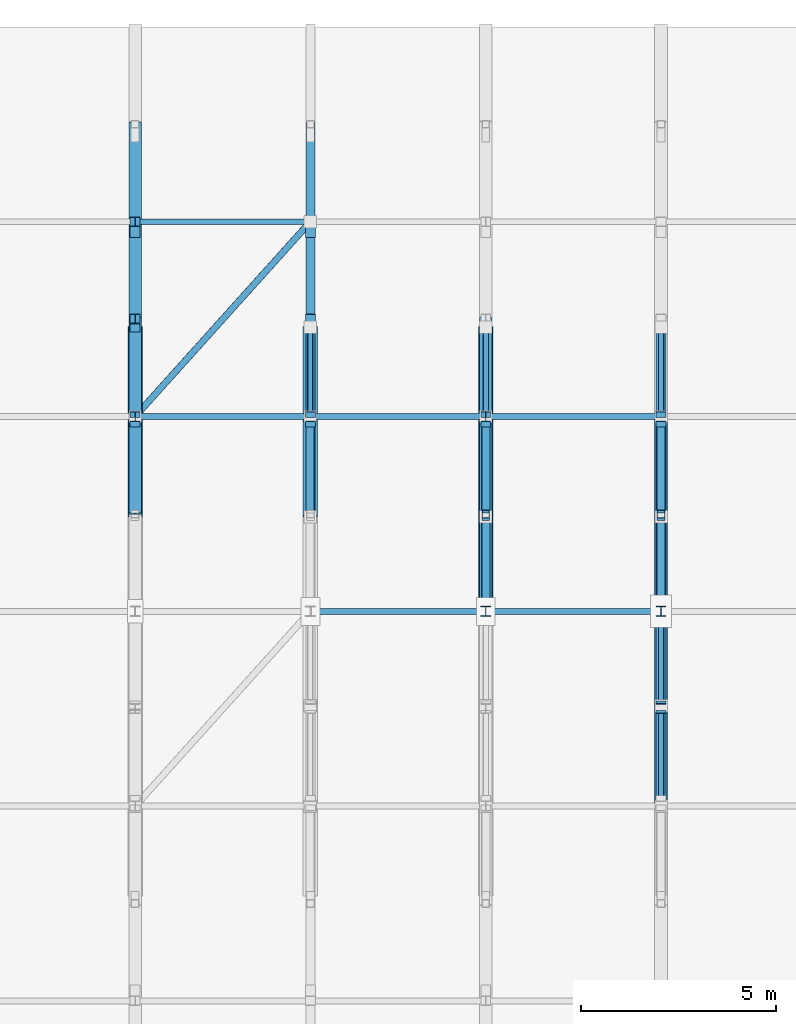
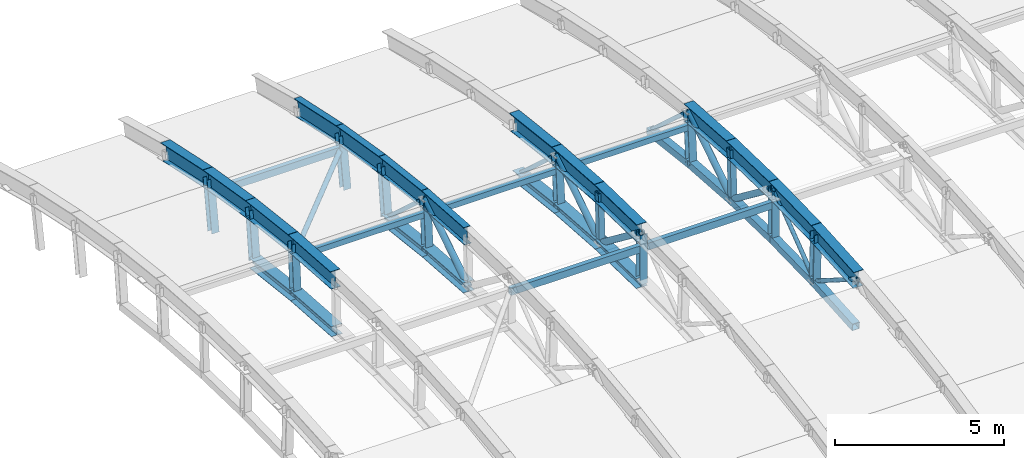
# One storey, part 10 of 53: 42 members, 15 beams.
"""IFC4 building model written with IfcOpenShell, lengths in metres."""

from ifc_helpers import new_model, si_unit, direction, frame, origin, origin_2d, place, context, subcontext, project, spatial, hollow_rectangle, hollow_circle, i_section, extrude, material, material_profile, profile_set, type_object, element, save


model = new_model("IFC4")

# Units and contexts
model_context = context("Model", 3, precision=1e-05, world=origin(), true_north=direction((0.0, 1.0)))
body_context = subcontext(model_context, "Body", "Model", "MODEL_VIEW")
ifc_project = project(units=[si_unit("LENGTHUNIT", "METRE"), si_unit("AREAUNIT", "SQUARE_METRE"), si_unit("VOLUMEUNIT", "CUBIC_METRE"), si_unit("PLANEANGLEUNIT", "RADIAN"), si_unit("MASSUNIT", "GRAM", prefix="KILO")], contexts=[model_context])

# Site, building, storey
site_placement = place(None, origin())
site = spatial("IfcSite", under=ifc_project, at=site_placement, CompositionType="ELEMENT")
building_placement = place(site_placement, origin())
building = spatial("IfcBuilding", under=site, at=building_placement, Name="Cazmaro Siding Exhibition Halls", CompositionType="ELEMENT")
storey_placement = place(building_placement, frame((0.0, 0.0, 21.0)))
storey = spatial("IfcBuildingStorey", under=building, at=storey_placement, Name="L04", CompositionType="ELEMENT", Elevation=21.0)

# Beams
ifc_material_1 = material(Name="Steel ASTM A992 Grade 50", Category="steel")
ifc_material_profile_1 = material_profile(ifc_material_1, i_section(OverallWidth=0.327880859375, OverallDepth=0.626953125, WebThickness=0.01708984375, FlangeThickness=0.028076171875, at=origin_2d()), Name="W24X146")
ifc_profile_set_1 = profile_set([ifc_material_profile_1], Name="Steel ASTM A992 Grade 50")
beam_type_1 = type_object("IfcBeamType", Name="AR-01", PredefinedType="USERDEFINED", material=ifc_profile_set_1)
beam_1_placement = place(storey_placement, frame((58.5, 94.0, 2.5), z_axis=(0.0, 0.999730009742, -0.023235912336), x_axis=(-1.0, 0.0, 0.0)))
element("IfcBeam", 1, at=beam_1_placement, inside=storey, type_object=beam_type_1, Name="Space frame barrel vault arched rib AR-01 BM-0619", ObjectType="ARCHED RIB", PredefinedType="USERDEFINED", context=body_context, shape_type="SweptSolid", body=[
    extrude(i_section(OverallWidth=0.327880859375, OverallDepth=0.626953125, WebThickness=0.01708984375, FlangeThickness=0.028076171875, at=origin_2d()), origin(), (0.0, 0.0, 1.0), 2.500732421875),
])
beam_2_placement = place(storey_placement, frame((58.5, 96.5, 2.44189453125), z_axis=(0.0, 0.997537204184, -0.070139334669), x_axis=(-1.0, 0.0, 0.0)))
element("IfcBeam", 2, at=beam_2_placement, inside=storey, type_object=beam_type_1, Name="Space frame barrel vault arched rib AR-01 BM-0620", ObjectType="ARCHED RIB", PredefinedType="USERDEFINED", context=body_context, shape_type="SweptSolid", body=[
    extrude(i_section(OverallWidth=0.327880859375, OverallDepth=0.626953125, WebThickness=0.01708984375, FlangeThickness=0.028076171875, at=origin_2d()), origin(), (0.0, 0.0, 1.0), 2.506103515625),
])
beam_3_placement = place(storey_placement, frame((58.5, 99.0, 2.26611328125), z_axis=(0.0, 0.993147293786, -0.116869383693), x_axis=(-1.0, 0.0, 0.0)))
element("IfcBeam", 3, at=beam_3_placement, inside=storey, type_object=beam_type_1, Name="Space frame barrel vault arched rib AR-01 BM-0621", ObjectType="ARCHED RIB", PredefinedType="USERDEFINED", context=body_context, shape_type="SweptSolid", body=[
    extrude(i_section(OverallWidth=0.327880859375, OverallDepth=0.626953125, WebThickness=0.01708984375, FlangeThickness=0.028076171875, at=origin_2d()), origin(), (0.0, 0.0, 1.0), 2.517333984375),
])
ifc_material_2 = material(Name="Steel ASTM A992 Grade 50", Category="steel")
ifc_material_profile_2 = material_profile(ifc_material_2, i_section(OverallWidth=0.324951171875, OverallDepth=0.612060546875, WebThickness=0.012939453125, FlangeThickness=0.01904296875, at=origin_2d()), Name="W24X104")
ifc_profile_set_2 = profile_set([ifc_material_profile_2], Name="Steel ASTM A992 Grade 50")
beam_type_2 = type_object("IfcBeamType", Name="AR-02", PredefinedType="USERDEFINED", material=ifc_profile_set_2)
beam_4_placement = place(storey_placement, frame((49.5, 96.5, 2.44189453125), z_axis=(0.0, 0.997537204184, -0.070139334669), x_axis=(-1.0, 0.0, 0.0)))
element("IfcBeam", 4, at=beam_4_placement, inside=storey, type_object=beam_type_2, Name="Space frame barrel vault arched rib AR-02 BM-0572", ObjectType="ARCHED RIB", PredefinedType="USERDEFINED", context=body_context, shape_type="SweptSolid", body=[
    extrude(i_section(OverallWidth=0.324951171875, OverallDepth=0.612060546875, WebThickness=0.012939453125, FlangeThickness=0.01904296875, at=origin_2d()), origin(), (0.0, 0.0, 1.0), 2.506103515625),
])
beam_5_placement = place(storey_placement, frame((49.5, 99.0, 2.26611328125), z_axis=(0.0, 0.993147293786, -0.116869383693), x_axis=(-1.0, 0.0, 0.0)))
element("IfcBeam", 5, at=beam_5_placement, inside=storey, type_object=beam_type_2, Name="Space frame barrel vault arched rib AR-02 BM-0573", ObjectType="ARCHED RIB", PredefinedType="USERDEFINED", context=body_context, shape_type="SweptSolid", body=[
    extrude(i_section(OverallWidth=0.324951171875, OverallDepth=0.612060546875, WebThickness=0.012939453125, FlangeThickness=0.01904296875, at=origin_2d()), origin(), (0.0, 0.0, 1.0), 2.517333984375),
])
beam_6_placement = place(storey_placement, frame((49.5, 101.5, 1.971923828125), z_axis=(0.0, 0.98649787474, -0.163774061236), x_axis=(-1.0, 0.0, 0.0)))
element("IfcBeam", 6, at=beam_6_placement, inside=storey, type_object=beam_type_2, Name="Space frame barrel vault arched rib AR-02 BM-0574", ObjectType="ARCHED RIB", PredefinedType="USERDEFINED", context=body_context, shape_type="SweptSolid", body=[
    extrude(i_section(OverallWidth=0.324951171875, OverallDepth=0.612060546875, WebThickness=0.012939453125, FlangeThickness=0.01904296875, at=origin_2d()), origin(), (0.0, 0.0, 1.0), 2.5341796875),
])
beam_7_placement = place(storey_placement, frame((49.5, 104.0, 1.556884765625), z_axis=(0.0, 0.977710100146, -0.209959424826), x_axis=(-1.0, 0.0, 0.0)))
element("IfcBeam", 7, at=beam_7_placement, inside=storey, type_object=beam_type_2, Name="Space frame barrel vault arched rib AR-02 BM-0575", ObjectType="ARCHED RIB", PredefinedType="USERDEFINED", context=body_context, shape_type="SweptSolid", body=[
    extrude(i_section(OverallWidth=0.324951171875, OverallDepth=0.612060546875, WebThickness=0.012939453125, FlangeThickness=0.01904296875, at=origin_2d()), origin(), (0.0, 0.0, 1.0), 2.556884765625),
])
beam_8_placement = place(storey_placement, frame((63.0, 89.0, 2.26611328125), z_axis=(0.0, 0.997537204184, 0.070139334669), x_axis=(-1.0, 0.0, 0.0)))
element("IfcBeam", 8, at=beam_8_placement, inside=storey, type_object=beam_type_2, Name="Space frame barrel vault arched rib AR-02 BM-0641", ObjectType="ARCHED RIB", PredefinedType="USERDEFINED", context=body_context, shape_type="SweptSolid", body=[
    extrude(i_section(OverallWidth=0.324951171875, OverallDepth=0.612060546875, WebThickness=0.012939453125, FlangeThickness=0.01904296875, at=origin_2d()), origin(), (0.0, 0.0, 1.0), 2.506103515625),
])
for number, where, z_axis, x_axis, name in (
    (9, (63.0, 91.5, 2.44189453125), (0.0, 0.999730009742, 0.023235912336), (-1.0, 0.0, 0.0), "Space frame barrel vault arched rib AR-02 BM-0642"),
    (10, (63.0, 94.0, 2.5), (0.0, 0.999730009742, -0.023235912336), (-1.0, 0.0, 0.0), "Space frame barrel vault arched rib AR-02 BM-0643"),
):
    element("IfcBeam", number, at=place(storey_placement, frame(where, z_axis=z_axis, x_axis=x_axis)), inside=storey, type_object=beam_type_2, Name=name, ObjectType="ARCHED RIB", PredefinedType="USERDEFINED", context=body_context, shape_type="SweptSolid", body=[
        extrude(i_section(OverallWidth=0.324951171875, OverallDepth=0.612060546875, WebThickness=0.012939453125, FlangeThickness=0.01904296875, at=origin_2d()), origin(), (0.0, 0.0, 1.0), 2.500732421875),
    ])
beam_9_placement = place(storey_placement, frame((63.0, 96.5, 2.44189453125), z_axis=(0.0, 0.997537204184, -0.070139334669), x_axis=(-1.0, 0.0, 0.0)))
element("IfcBeam", 11, at=beam_9_placement, inside=storey, type_object=beam_type_2, Name="Space frame barrel vault arched rib AR-02 BM-0644", ObjectType="ARCHED RIB", PredefinedType="USERDEFINED", context=body_context, shape_type="SweptSolid", body=[
    extrude(i_section(OverallWidth=0.324951171875, OverallDepth=0.612060546875, WebThickness=0.012939453125, FlangeThickness=0.01904296875, at=origin_2d()), origin(), (0.0, 0.0, 1.0), 2.506103515625),
])
ifc_material_3 = material(Name="Steel ASTM A992 Grade 50", Category="steel")
ifc_material_profile_3 = material_profile(ifc_material_3, i_section(OverallWidth=0.22900390625, OverallDepth=0.612060546875, WebThickness=0.011962890625, FlangeThickness=0.02001953125, at=origin_2d()), Name="W24X84")
ifc_profile_set_3 = profile_set([ifc_material_profile_3], Name="Steel ASTM A992 Grade 50")
beam_type_3 = type_object("IfcBeamType", Name="AR-03", PredefinedType="USERDEFINED", material=ifc_profile_set_3)
beam_10_placement = place(storey_placement, frame((54.0, 96.5, 2.44189453125), z_axis=(0.0, 0.997537204184, -0.070139334669), x_axis=(-1.0, 0.0, 0.0)))
element("IfcBeam", 12, at=beam_10_placement, inside=storey, type_object=beam_type_3, Name="Space frame barrel vault arched rib AR-03 BM-0596", ObjectType="ARCHED RIB", PredefinedType="USERDEFINED", context=body_context, shape_type="SweptSolid", body=[
    extrude(i_section(OverallWidth=0.22900390625, OverallDepth=0.612060546875, WebThickness=0.011962890625, FlangeThickness=0.02001953125, at=origin_2d()), origin(), (0.0, 0.0, 1.0), 2.506103515625),
])
beam_11_placement = place(storey_placement, frame((54.0, 99.0, 2.26611328125), z_axis=(0.0, 0.993147293786, -0.116869383693), x_axis=(-1.0, 0.0, 0.0)))
element("IfcBeam", 13, at=beam_11_placement, inside=storey, type_object=beam_type_3, Name="Space frame barrel vault arched rib AR-03 BM-0597", ObjectType="ARCHED RIB", PredefinedType="USERDEFINED", context=body_context, shape_type="SweptSolid", body=[
    extrude(i_section(OverallWidth=0.22900390625, OverallDepth=0.612060546875, WebThickness=0.011962890625, FlangeThickness=0.02001953125, at=origin_2d()), origin(), (0.0, 0.0, 1.0), 2.517333984375),
])
beam_12_placement = place(storey_placement, frame((54.0, 101.5, 1.971923828125), z_axis=(0.0, 0.98649787474, -0.163774061236), x_axis=(-1.0, 0.0, 0.0)))
element("IfcBeam", 14, at=beam_12_placement, inside=storey, type_object=beam_type_3, Name="Space frame barrel vault arched rib AR-03 BM-0598", ObjectType="ARCHED RIB", PredefinedType="USERDEFINED", context=body_context, shape_type="SweptSolid", body=[
    extrude(i_section(OverallWidth=0.22900390625, OverallDepth=0.612060546875, WebThickness=0.011962890625, FlangeThickness=0.02001953125, at=origin_2d()), origin(), (0.0, 0.0, 1.0), 2.5341796875),
])
beam_13_placement = place(storey_placement, frame((54.0, 104.0, 1.556884765625), z_axis=(0.0, 0.977710100146, -0.209959424826), x_axis=(-1.0, 0.0, 0.0)))
element("IfcBeam", 15, at=beam_13_placement, inside=storey, type_object=beam_type_3, Name="Space frame barrel vault arched rib AR-03 BM-0599", ObjectType="ARCHED RIB", PredefinedType="USERDEFINED", context=body_context, shape_type="SweptSolid", body=[
    extrude(i_section(OverallWidth=0.22900390625, OverallDepth=0.612060546875, WebThickness=0.011962890625, FlangeThickness=0.02001953125, at=origin_2d()), origin(), (0.0, 0.0, 1.0), 2.556884765625),
])

# Members
ifc_material_4 = material(Name="Steel ASTM A500 Grade C", Category="steel")
ifc_material_profile_4 = material_profile(ifc_material_4, hollow_rectangle(XDim=0.152099609375, YDim=0.202880859375, WallThickness=0.011962890625, at=origin_2d()), Name="HSS8X6X1/2")
ifc_profile_set_4 = profile_set([ifc_material_profile_4], Name="Steel ASTM A500 Grade C")
member_type_1 = type_object("IfcMemberType", Name="RP-01", PredefinedType="PURLIN", material=ifc_profile_set_4)
for number, where, z_axis, x_axis, name in (
    (16, (49.5, 99.0, 1.72607421875), (1.0, 0.0, 0.0), (0.0, 1.0, 0.0), "Space frame barrel vault purlin RP-01 MEM-1981"),
    (17, (54.0, 99.0, 1.72607421875), (1.0, 0.0, 0.0), (0.0, 1.0, 0.0), "Space frame barrel vault purlin RP-01 MEM-1998"),
    (18, (58.5, 99.0, 1.72607421875), (1.0, 0.0, 0.0), (0.0, 1.0, 0.0), "Space frame barrel vault purlin RP-01 MEM-2009"),
):
    element("IfcMember", number, at=place(storey_placement, frame(where, z_axis=z_axis, x_axis=x_axis)), inside=storey, type_object=member_type_1, Name=name, PredefinedType="PURLIN", context=body_context, shape_type="SweptSolid", body=[
        extrude(hollow_rectangle(XDim=0.152099609375, YDim=0.202880859375, WallThickness=0.011962890625, at=origin_2d()), origin(), (0.0, 0.0, 1.0), 4.5),
    ])
ifc_material_5 = material(Name="Steel ASTM A500 Grade C", Category="steel")
ifc_material_profile_5 = material_profile(ifc_material_5, hollow_rectangle(XDim=0.152099609375, YDim=0.25390625, WallThickness=0.011962890625, at=origin_2d()), Name="HSS10X6X1/2")
ifc_profile_set_5 = profile_set([ifc_material_profile_5], Name="Steel ASTM A500 Grade C")
member_type_2 = type_object("IfcMemberType", Name="RP-04", PredefinedType="PURLIN", material=ifc_profile_set_5)
for number, where, z_axis, x_axis, name in (
    (19, (49.5, 104.0, 1.01708984375), (1.0, 0.0, 0.0), (0.0, 1.0, 0.0), "Space frame barrel vault purlin RP-04 MEM-1982"),
    (20, (54.0, 94.0, 1.9599609375), (1.0, 0.0, 0.0), (0.0, 1.0, 0.0), "Space frame barrel vault purlin RP-04 MEM-1997"),
    (21, (58.5, 94.0, 1.9599609375), (1.0, 0.0, 0.0), (0.0, 1.0, 0.0), "Space frame barrel vault purlin RP-04 MEM-2008"),
):
    element("IfcMember", number, at=place(storey_placement, frame(where, z_axis=z_axis, x_axis=x_axis)), inside=storey, type_object=member_type_2, Name=name, PredefinedType="PURLIN", context=body_context, shape_type="SweptSolid", body=[
        extrude(hollow_rectangle(XDim=0.152099609375, YDim=0.25390625, WallThickness=0.011962890625, at=origin_2d()), origin(), (0.0, 0.0, 1.0), 4.5),
    ])
ifc_material_6 = material(Name="Steel ASTM A500 Grade C", Category="steel")
ifc_material_profile_6 = material_profile(ifc_material_6, hollow_rectangle(XDim=0.25390625, YDim=0.25390625, WallThickness=0.014892578125, at=origin_2d()), Name="HSS10X10X5/8")
ifc_profile_set_6 = profile_set([ifc_material_profile_6], Name="Steel ASTM A500 Grade C")
member_type_3 = type_object("IfcMemberType", Name="TC-01", PredefinedType="CHORD", material=ifc_profile_set_6)
member_1_placement = place(storey_placement, frame((63.0, 89.139892578125, 0.472900390625), z_axis=(0.0, 0.997529419526, 0.070249962135), x_axis=(-1.0, 0.0, 0.0)))
element("IfcMember", 22, at=member_1_placement, inside=storey, type_object=member_type_3, Name="Space frame barrel vault bottom chord TC-01 MEM-0257", PredefinedType="CHORD", context=body_context, shape_type="SweptSolid", body=[
    extrude(hollow_rectangle(XDim=0.25390625, YDim=0.25390625, WallThickness=0.014892578125, at=origin_2d()), origin(), (0.0, 0.0, 1.0), 2.436279296875),
])
for number, where, z_axis, x_axis, name in (
    (23, (63.0, 91.570068359375, 0.64404296875), (0.0, 0.99973541783, 0.023002050707), (-1.0, 0.0, 0.0), "Space frame barrel vault bottom chord TC-01 MEM-0259"),
    (24, (63.0, 94.0, 0.699951171875), (0.0, 0.99973541783, -0.023002050707), (-1.0, 0.0, 0.0), "Space frame barrel vault bottom chord TC-01 MEM-0261"),
):
    element("IfcMember", number, at=place(storey_placement, frame(where, z_axis=z_axis, x_axis=x_axis)), inside=storey, type_object=member_type_3, Name=name, PredefinedType="CHORD", context=body_context, shape_type="SweptSolid", body=[
        extrude(hollow_rectangle(XDim=0.25390625, YDim=0.25390625, WallThickness=0.014892578125, at=origin_2d()), origin(), (0.0, 0.0, 1.0), 2.4306640625),
    ])
member_2_placement = place(storey_placement, frame((63.0, 96.429931640625, 0.64404296875), z_axis=(0.0, 0.997529419526, -0.070249962135), x_axis=(-1.0, 0.0, 0.0)))
element("IfcMember", 25, at=member_2_placement, inside=storey, type_object=member_type_3, Name="Space frame barrel vault bottom chord TC-01 MEM-0263", PredefinedType="CHORD", context=body_context, shape_type="SweptSolid", body=[
    extrude(hollow_rectangle(XDim=0.25390625, YDim=0.25390625, WallThickness=0.014892578125, at=origin_2d()), origin(), (0.0, 0.0, 1.0), 2.436279296875),
])
member_3_placement = place(storey_placement, frame((63.0, 98.860107421875, 0.472900390625), z_axis=(0.0, 0.993149923187, -0.116847037079), x_axis=(-1.0, 0.0, 0.0)))
element("IfcMember", 26, at=member_3_placement, inside=storey, type_object=member_type_3, Name="Space frame barrel vault bottom chord TC-01 MEM-0265", PredefinedType="CHORD", context=body_context, shape_type="SweptSolid", body=[
    extrude(hollow_rectangle(XDim=0.25390625, YDim=0.25390625, WallThickness=0.014892578125, at=origin_2d()), origin(), (0.0, 0.0, 1.0), 2.44677734375),
])
ifc_material_7 = material(Name="Steel ASTM A992 Grade 50", Category="steel")
ifc_material_profile_7 = material_profile(ifc_material_7, i_section(OverallWidth=0.37109375, OverallDepth=0.364013671875, WebThickness=0.012939453125, FlangeThickness=0.02197265625, at=origin_2d()), Name="W14X109")
ifc_profile_set_7 = profile_set([ifc_material_profile_7], Name="Steel ASTM A992 Grade 50")
member_type_4 = type_object("IfcMemberType", Name="TC-06", PredefinedType="CHORD", material=ifc_profile_set_7)
member_4_placement = place(storey_placement, frame((49.5, 96.429931640625, 0.64404296875), z_axis=(0.0, 0.997529419526, -0.070249962135), x_axis=(-1.0, 0.0, 0.0)))
element("IfcMember", 27, at=member_4_placement, inside=storey, type_object=member_type_4, Name="Space frame barrel vault bottom chord TC-06 MEM-0061", PredefinedType="CHORD", context=body_context, shape_type="SweptSolid", body=[
    extrude(i_section(OverallWidth=0.37109375, OverallDepth=0.364013671875, WebThickness=0.012939453125, FlangeThickness=0.02197265625, at=origin_2d()), origin(), (0.0, 0.0, 1.0), 2.436279296875),
])
member_5_placement = place(storey_placement, frame((49.5, 98.860107421875, 0.472900390625), z_axis=(0.0, 0.993149923187, -0.116847037079), x_axis=(-1.0, 0.0, 0.0)))
element("IfcMember", 28, at=member_5_placement, inside=storey, type_object=member_type_4, Name="Space frame barrel vault bottom chord TC-06 MEM-0062", PredefinedType="CHORD", context=body_context, shape_type="SweptSolid", body=[
    extrude(i_section(OverallWidth=0.37109375, OverallDepth=0.364013671875, WebThickness=0.012939453125, FlangeThickness=0.02197265625, at=origin_2d()), origin(), (0.0, 0.0, 1.0), 2.44677734375),
])
member_6_placement = place(storey_placement, frame((54.0, 96.429931640625, 0.64404296875), z_axis=(0.0, 0.997529419526, -0.070249962135), x_axis=(-1.0, 0.0, 0.0)))
element("IfcMember", 29, at=member_6_placement, inside=storey, type_object=member_type_4, Name="Space frame barrel vault bottom chord TC-06 MEM-0121", PredefinedType="CHORD", context=body_context, shape_type="SweptSolid", body=[
    extrude(i_section(OverallWidth=0.37109375, OverallDepth=0.364013671875, WebThickness=0.012939453125, FlangeThickness=0.02197265625, at=origin_2d()), origin(), (0.0, 0.0, 1.0), 2.436279296875),
])
member_7_placement = place(storey_placement, frame((54.0, 98.860107421875, 0.472900390625), z_axis=(0.0, 0.993149923187, -0.116847037079), x_axis=(-1.0, 0.0, 0.0)))
element("IfcMember", 30, at=member_7_placement, inside=storey, type_object=member_type_4, Name="Space frame barrel vault bottom chord TC-06 MEM-0123", PredefinedType="CHORD", context=body_context, shape_type="SweptSolid", body=[
    extrude(i_section(OverallWidth=0.37109375, OverallDepth=0.364013671875, WebThickness=0.012939453125, FlangeThickness=0.02197265625, at=origin_2d()), origin(), (0.0, 0.0, 1.0), 2.44677734375),
])
member_8_placement = place(storey_placement, frame((58.5, 94.0, 0.699951171875), z_axis=(0.0, 0.99973541783, -0.023002050707), x_axis=(-1.0, 0.0, 0.0)))
element("IfcMember", 31, at=member_8_placement, inside=storey, type_object=member_type_4, Name="Space frame barrel vault bottom chord TC-06 MEM-0190", PredefinedType="CHORD", context=body_context, shape_type="SweptSolid", body=[
    extrude(i_section(OverallWidth=0.37109375, OverallDepth=0.364013671875, WebThickness=0.012939453125, FlangeThickness=0.02197265625, at=origin_2d()), origin(), (0.0, 0.0, 1.0), 2.4306640625),
])
member_9_placement = place(storey_placement, frame((58.5, 96.429931640625, 0.64404296875), z_axis=(0.0, 0.997529419526, -0.070249962135), x_axis=(-1.0, 0.0, 0.0)))
element("IfcMember", 32, at=member_9_placement, inside=storey, type_object=member_type_4, Name="Space frame barrel vault bottom chord TC-06 MEM-0192", PredefinedType="CHORD", context=body_context, shape_type="SweptSolid", body=[
    extrude(i_section(OverallWidth=0.37109375, OverallDepth=0.364013671875, WebThickness=0.012939453125, FlangeThickness=0.02197265625, at=origin_2d()), origin(), (0.0, 0.0, 1.0), 2.436279296875),
])
member_10_placement = place(storey_placement, frame((58.5, 98.860107421875, 0.472900390625), z_axis=(0.0, 0.993149923187, -0.116847037079), x_axis=(-1.0, 0.0, 0.0)))
element("IfcMember", 33, at=member_10_placement, inside=storey, type_object=member_type_4, Name="Space frame barrel vault bottom chord TC-06 MEM-0194", PredefinedType="CHORD", context=body_context, shape_type="SweptSolid", body=[
    extrude(i_section(OverallWidth=0.37109375, OverallDepth=0.364013671875, WebThickness=0.012939453125, FlangeThickness=0.02197265625, at=origin_2d()), origin(), (0.0, 0.0, 1.0), 2.44677734375),
])
ifc_material_8 = material(Name="Steel ASTM A500 Grade C", Category="steel")
ifc_material_profile_8 = material_profile(ifc_material_8, hollow_rectangle(XDim=0.202880859375, YDim=0.202880859375, WallThickness=0.011962890625, at=origin_2d()), Name="HSS8X8X1/2")
ifc_profile_set_8 = profile_set([ifc_material_profile_8], Name="Steel ASTM A500 Grade C")
member_type_5 = type_object("IfcMemberType", Name="TP-01", PredefinedType="POST", material=ifc_profile_set_8)
for number, where, z_axis, x_axis, name in (
    (34, (58.5, 96.429931640625, 0.64404296875), (0.0, 0.038943818889, 0.999241401749), (-1.0, 0.0, 0.0), "Space frame barrel vault post TP-01 MEM-0226"),
    (35, (63.0, 96.429931640625, 0.64404296875), (0.0, 0.038943818889, 0.999241401749), (-1.0, 0.0, 0.0), "Space frame barrel vault post TP-01 MEM-0297"),
):
    element("IfcMember", number, at=place(storey_placement, frame(where, z_axis=z_axis, x_axis=x_axis)), inside=storey, type_object=member_type_5, Name=name, PredefinedType="POST", context=body_context, shape_type="SweptSolid", body=[
        extrude(hollow_rectangle(XDim=0.202880859375, YDim=0.202880859375, WallThickness=0.011962890625, at=origin_2d()), origin(), (0.0, 0.0, 1.0), 1.79931640625),
    ])
ifc_material_9 = material(Name="Steel ASTM A992 Grade 50", Category="steel")
ifc_material_profile_9 = material_profile(ifc_material_9, i_section(OverallWidth=0.25390625, OverallDepth=0.25390625, WebThickness=0.009033203125, FlangeThickness=0.013916015625, at=origin_2d()), Name="W10X49")
ifc_profile_set_9 = profile_set([ifc_material_profile_9], Name="Steel ASTM A992 Grade 50")
member_type_6 = type_object("IfcMemberType", Name="TP-04", PredefinedType="POST", material=ifc_profile_set_9)
member_11_placement = place(storey_placement, frame((49.5, 98.860107421875, 0.472900390625), z_axis=(0.0, 0.077775943468, 0.996970863475), x_axis=(-1.0, 0.0, 0.0)))
element("IfcMember", 36, at=member_11_placement, inside=storey, type_object=member_type_6, Name="Space frame barrel vault post TP-04 MEM-0085", PredefinedType="POST", context=body_context, shape_type="SweptSolid", body=[
    extrude(i_section(OverallWidth=0.25390625, OverallDepth=0.25390625, WebThickness=0.009033203125, FlangeThickness=0.013916015625, at=origin_2d()), origin(), (0.0, 0.0, 1.0), 1.798583984375),
])
member_12_placement = place(storey_placement, frame((49.5, 101.2900390625, 0.18701171875), z_axis=(0.0, 0.116825484133, 0.993152458718), x_axis=(-1.0, 0.0, 0.0)))
element("IfcMember", 37, at=member_12_placement, inside=storey, type_object=member_type_6, Name="Space frame barrel vault post TP-04 MEM-0086", PredefinedType="POST", context=body_context, shape_type="SweptSolid", body=[
    extrude(i_section(OverallWidth=0.25390625, OverallDepth=0.25390625, WebThickness=0.009033203125, FlangeThickness=0.013916015625, at=origin_2d()), origin(), (0.0, 0.0, 1.0), 1.797119140625),
])
member_13_placement = place(storey_placement, frame((49.5, 103.719970703125, -0.217041015625), z_axis=(0.0, 0.155927668857, 0.987768475952), x_axis=(-1.0, 0.0, 0.0)))
element("IfcMember", 38, at=member_13_placement, inside=storey, type_object=member_type_6, Name="Space frame barrel vault post TP-04 MEM-0087", PredefinedType="POST", context=body_context, shape_type="SweptSolid", body=[
    extrude(i_section(OverallWidth=0.25390625, OverallDepth=0.25390625, WebThickness=0.009033203125, FlangeThickness=0.013916015625, at=origin_2d()), origin(), (0.0, 0.0, 1.0), 1.7958984375),
])
member_14_placement = place(storey_placement, frame((54.0, 98.860107421875, 0.472900390625), z_axis=(0.0, 0.077775943468, 0.996970863475), x_axis=(-1.0, 0.0, 0.0)))
element("IfcMember", 39, at=member_14_placement, inside=storey, type_object=member_type_6, Name="Space frame barrel vault post TP-04 MEM-0156", PredefinedType="POST", context=body_context, shape_type="SweptSolid", body=[
    extrude(i_section(OverallWidth=0.25390625, OverallDepth=0.25390625, WebThickness=0.009033203125, FlangeThickness=0.013916015625, at=origin_2d()), origin(), (0.0, 0.0, 1.0), 1.798583984375),
])
member_15_placement = place(storey_placement, frame((54.0, 101.2900390625, 0.18701171875), z_axis=(0.0, 0.116825484133, 0.993152458718), x_axis=(-1.0, 0.0, 0.0)))
element("IfcMember", 40, at=member_15_placement, inside=storey, type_object=member_type_6, Name="Space frame barrel vault post TP-04 MEM-0157", PredefinedType="POST", context=body_context, shape_type="SweptSolid", body=[
    extrude(i_section(OverallWidth=0.25390625, OverallDepth=0.25390625, WebThickness=0.009033203125, FlangeThickness=0.013916015625, at=origin_2d()), origin(), (0.0, 0.0, 1.0), 1.797119140625),
])
member_16_placement = place(storey_placement, frame((54.0, 103.719970703125, -0.217041015625), z_axis=(0.0, 0.155927668857, 0.987768475952), x_axis=(-1.0, 0.0, 0.0)))
element("IfcMember", 41, at=member_16_placement, inside=storey, type_object=member_type_6, Name="Space frame barrel vault post TP-04 MEM-0158", PredefinedType="POST", context=body_context, shape_type="SweptSolid", body=[
    extrude(i_section(OverallWidth=0.25390625, OverallDepth=0.25390625, WebThickness=0.009033203125, FlangeThickness=0.013916015625, at=origin_2d()), origin(), (0.0, 0.0, 1.0), 1.7958984375),
])
member_17_placement = place(storey_placement, frame((58.5, 94.0, 0.699951171875), z_axis=(0.0, 0.0, 1.0), x_axis=(1.0, 0.0, 0.0)))
element("IfcMember", 42, at=member_17_placement, inside=storey, type_object=member_type_6, Name="Space frame barrel vault post TP-04 MEM-0225", PredefinedType="POST", context=body_context, shape_type="SweptSolid", body=[
    extrude(i_section(OverallWidth=0.25390625, OverallDepth=0.25390625, WebThickness=0.009033203125, FlangeThickness=0.013916015625, at=origin_2d()), origin(), (0.0, 0.0, 1.0), 1.800048828125),
])
member_18_placement = place(storey_placement, frame((58.5, 98.860107421875, 0.472900390625), z_axis=(0.0, 0.077775943468, 0.996970863475), x_axis=(-1.0, 0.0, 0.0)))
element("IfcMember", 43, at=member_18_placement, inside=storey, type_object=member_type_6, Name="Space frame barrel vault post TP-04 MEM-0227", PredefinedType="POST", context=body_context, shape_type="SweptSolid", body=[
    extrude(i_section(OverallWidth=0.25390625, OverallDepth=0.25390625, WebThickness=0.009033203125, FlangeThickness=0.013916015625, at=origin_2d()), origin(), (0.0, 0.0, 1.0), 1.798583984375),
])
member_19_placement = place(storey_placement, frame((63.0, 91.570068359375, 0.64404296875), z_axis=(0.0, -0.038943818889, 0.999241401749), x_axis=(1.0, 0.0, 0.0)))
element("IfcMember", 44, at=member_19_placement, inside=storey, type_object=member_type_6, Name="Space frame barrel vault post TP-04 MEM-0295", PredefinedType="POST", context=body_context, shape_type="SweptSolid", body=[
    extrude(i_section(OverallWidth=0.25390625, OverallDepth=0.25390625, WebThickness=0.009033203125, FlangeThickness=0.013916015625, at=origin_2d()), origin(), (0.0, 0.0, 1.0), 1.79931640625),
])
member_20_placement = place(storey_placement, frame((63.0, 94.0, 0.699951171875), z_axis=(0.0, 0.0, 1.0), x_axis=(1.0, 0.0, 0.0)))
element("IfcMember", 45, at=member_20_placement, inside=storey, type_object=member_type_6, Name="Space frame barrel vault post TP-04 MEM-0296", PredefinedType="POST", context=body_context, shape_type="SweptSolid", body=[
    extrude(i_section(OverallWidth=0.25390625, OverallDepth=0.25390625, WebThickness=0.009033203125, FlangeThickness=0.013916015625, at=origin_2d()), origin(), (0.0, 0.0, 1.0), 1.800048828125),
])
member_21_placement = place(storey_placement, frame((63.0, 98.860107421875, 0.472900390625), z_axis=(0.0, 0.077775943468, 0.996970863475), x_axis=(-1.0, 0.0, 0.0)))
element("IfcMember", 46, at=member_21_placement, inside=storey, type_object=member_type_6, Name="Space frame barrel vault post TP-04 MEM-0298", PredefinedType="POST", context=body_context, shape_type="SweptSolid", body=[
    extrude(i_section(OverallWidth=0.25390625, OverallDepth=0.25390625, WebThickness=0.009033203125, FlangeThickness=0.013916015625, at=origin_2d()), origin(), (0.0, 0.0, 1.0), 1.798583984375),
])
ifc_material_10 = material(Name="Steel ASTM A500 Grade C", Category="steel")
ifc_material_profile_10 = material_profile(ifc_material_10, hollow_circle(Radius=0.109619140625, WallThickness=0.012939453125, at=origin_2d()), Name="PIPE8XS")
ifc_profile_set_10 = profile_set([ifc_material_profile_10], Name="Steel ASTM A500 Grade C")
member_type_7 = type_object("IfcMemberType", Name="WB-01", PredefinedType="BRACE", material=ifc_profile_set_10)
member_22_placement = place(storey_placement, frame((54.0, 96.429931640625, 0.64404296875), z_axis=(0.0, 0.84565684294, 0.533726993872), x_axis=(-1.0, 0.0, 0.0)))
element("IfcMember", 47, at=member_22_placement, inside=storey, type_object=member_type_7, Name="Space frame barrel vault diagonal WB-01 MEM-0122", PredefinedType="BRACE", context=body_context, shape_type="SweptSolid", body=[
    extrude(hollow_circle(Radius=0.109619140625, WallThickness=0.012939453125, at=origin_2d()), origin(), (0.0, 0.0, 1.0), 3.0390625),
])
member_23_placement = place(storey_placement, frame((58.5, 94.0, 2.5), z_axis=(0.0, 0.794708988455, -0.60699062898), x_axis=(-1.0, 0.0, 0.0)))
element("IfcMember", 48, at=member_23_placement, inside=storey, type_object=member_type_7, Name="Space frame barrel vault diagonal WB-01 MEM-0191", PredefinedType="BRACE", context=body_context, shape_type="SweptSolid", body=[
    extrude(hollow_circle(Radius=0.109619140625, WallThickness=0.012939453125, at=origin_2d()), origin(), (0.0, 0.0, 1.0), 3.0576171875),
])
member_24_placement = place(storey_placement, frame((58.5, 96.429931640625, 0.64404296875), z_axis=(0.0, 0.84565684294, 0.533726993872), x_axis=(-1.0, 0.0, 0.0)))
element("IfcMember", 49, at=member_24_placement, inside=storey, type_object=member_type_7, Name="Space frame barrel vault diagonal WB-01 MEM-0193", PredefinedType="BRACE", context=body_context, shape_type="SweptSolid", body=[
    extrude(hollow_circle(Radius=0.109619140625, WallThickness=0.012939453125, at=origin_2d()), origin(), (0.0, 0.0, 1.0), 3.0390625),
])
member_25_placement = place(storey_placement, frame((63.0, 94.0, 2.5), z_axis=(0.0, 0.794708988455, -0.60699062898), x_axis=(-1.0, 0.0, 0.0)))
element("IfcMember", 50, at=member_25_placement, inside=storey, type_object=member_type_7, Name="Space frame barrel vault diagonal WB-01 MEM-0262", PredefinedType="BRACE", context=body_context, shape_type="SweptSolid", body=[
    extrude(hollow_circle(Radius=0.109619140625, WallThickness=0.012939453125, at=origin_2d()), origin(), (0.0, 0.0, 1.0), 3.0576171875),
])
member_26_placement = place(storey_placement, frame((63.0, 96.429931640625, 0.64404296875), z_axis=(0.0, 0.84565684294, 0.533726993872), x_axis=(-1.0, 0.0, 0.0)))
element("IfcMember", 51, at=member_26_placement, inside=storey, type_object=member_type_7, Name="Space frame barrel vault diagonal WB-01 MEM-0264", PredefinedType="BRACE", context=body_context, shape_type="SweptSolid", body=[
    extrude(hollow_circle(Radius=0.109619140625, WallThickness=0.012939453125, at=origin_2d()), origin(), (0.0, 0.0, 1.0), 3.0390625),
])
ifc_material_11 = material(Name="Steel ASTM A500 Grade C", Category="steel")
ifc_material_profile_11 = material_profile(ifc_material_11, hollow_circle(Radius=0.083984375, WallThickness=0.01806640625, at=origin_2d()), Name="PIPE6XXS")
ifc_profile_set_11 = profile_set([ifc_material_profile_11], Name="Steel ASTM A500 Grade C")
member_type_8 = type_object("IfcMemberType", Name="WB-05", PredefinedType="BRACE", material=ifc_profile_set_11)
member_27_placement = place(storey_placement, frame((49.5, 99.0, 1.72607421875), z_axis=(0.66527981217, 0.7391997913, -0.104816220407), x_axis=(-0.743294146247, 0.668964731622, 0.0)))
element("IfcMember", 52, at=member_27_placement, inside=storey, type_object=member_type_8, Name="Space frame barrel vault wind brace WB-05 MEM-1988", PredefinedType="BRACE", context=body_context, shape_type="SweptSolid", body=[
    extrude(hollow_circle(Radius=0.083984375, WallThickness=0.01806640625, at=origin_2d()), origin(), (0.0, 0.0, 1.0), 6.76416015625),
])
ifc_material_12 = material(Name="Steel ASTM A500 Grade C", Category="steel")
ifc_material_profile_12 = material_profile(ifc_material_12, hollow_circle(Radius=0.070556640625, WallThickness=0.01904296875, at=origin_2d()), Name="PIPE5XXS")
ifc_profile_set_12 = profile_set([ifc_material_profile_12], Name="Steel ASTM A500 Grade C")
member_type_9 = type_object("IfcMemberType", Name="WB-07", PredefinedType="BRACE", material=ifc_profile_set_12)
for number, where, z_axis, x_axis, name in (
    (53, (54.0, 99.0, 2.26611328125), (0.0, 0.740382789782, -0.672185483772), (-1.0, 0.0, 0.0), "Space frame barrel vault diagonal WB-07 MEM-0124"),
    (54, (58.5, 99.0, 2.26611328125), (0.0, 0.740382789782, -0.672185483772), (-1.0, 0.0, 0.0), "Space frame barrel vault diagonal WB-07 MEM-0195"),
):
    element("IfcMember", number, at=place(storey_placement, frame(where, z_axis=z_axis, x_axis=x_axis)), inside=storey, type_object=member_type_9, Name=name, PredefinedType="BRACE", context=body_context, shape_type="SweptSolid", body=[
        extrude(hollow_circle(Radius=0.070556640625, WallThickness=0.01904296875, at=origin_2d()), origin(), (0.0, 0.0, 1.0), 3.093017578125),
    ])
member_28_placement = place(storey_placement, frame((63.0, 89.0, 2.26611328125), z_axis=(0.0, 0.84565684294, -0.533726993872), x_axis=(-1.0, 0.0, 0.0)))
element("IfcMember", 55, at=member_28_placement, inside=storey, type_object=member_type_9, Name="Space frame barrel vault diagonal WB-07 MEM-0258", PredefinedType="BRACE", context=body_context, shape_type="SweptSolid", body=[
    extrude(hollow_circle(Radius=0.070556640625, WallThickness=0.01904296875, at=origin_2d()), origin(), (0.0, 0.0, 1.0), 3.0390625),
])
member_29_placement = place(storey_placement, frame((63.0, 91.570068359375, 0.64404296875), z_axis=(0.0, 0.794708988455, 0.60699062898), x_axis=(-1.0, 0.0, 0.0)))
element("IfcMember", 56, at=member_29_placement, inside=storey, type_object=member_type_9, Name="Space frame barrel vault diagonal WB-07 MEM-0260", PredefinedType="BRACE", context=body_context, shape_type="SweptSolid", body=[
    extrude(hollow_circle(Radius=0.070556640625, WallThickness=0.01904296875, at=origin_2d()), origin(), (0.0, 0.0, 1.0), 3.0576171875),
])
member_30_placement = place(storey_placement, frame((63.0, 99.0, 2.26611328125), z_axis=(0.0, 0.740382789782, -0.672185483772), x_axis=(-1.0, 0.0, 0.0)))
element("IfcMember", 57, at=member_30_placement, inside=storey, type_object=member_type_9, Name="Space frame barrel vault diagonal WB-07 MEM-0266", PredefinedType="BRACE", context=body_context, shape_type="SweptSolid", body=[
    extrude(hollow_circle(Radius=0.070556640625, WallThickness=0.01904296875, at=origin_2d()), origin(), (0.0, 0.0, 1.0), 3.093017578125),
])

save(model, "model.ifc")
